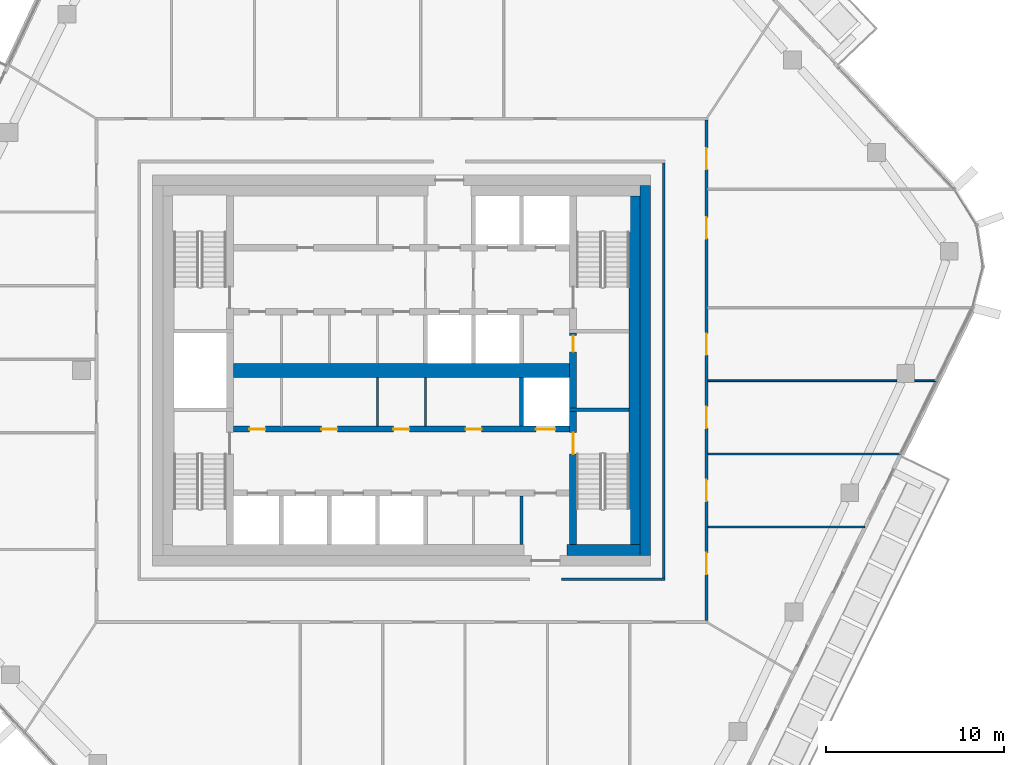
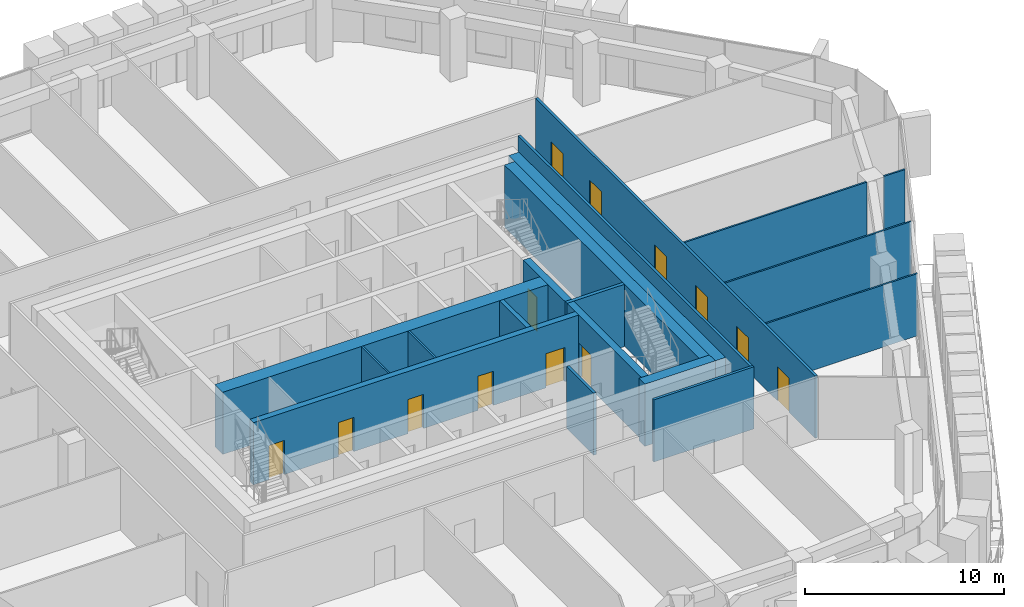
# One storey, part 14 of 23: 19 walls, 13 doors, 13 openings.
"""IFC4 building model written with IfcOpenShell, lengths in metres."""

from ifc_helpers import new_model, si_unit, direction, frame, frame_2d, origin, place, context, subcontext, project, spatial, rectangle, extrude, material, layer, layer_set, type_object, element, fill, save


model = new_model("IFC4")

# Units and contexts
model_context = context("Model", 3, precision=1e-05, world=origin(), true_north=direction((0.0, 1.0)))
body_context = subcontext(model_context, "Body", "Model", "MODEL_VIEW")
ifc_project = project(units=[si_unit("LENGTHUNIT", "METRE"), si_unit("AREAUNIT", "SQUARE_METRE"), si_unit("VOLUMEUNIT", "CUBIC_METRE"), si_unit("PLANEANGLEUNIT", "RADIAN"), si_unit("MASSUNIT", "GRAM", prefix="KILO")], contexts=[model_context])

# Site, building, storey
site_placement = place(None, origin())
site = spatial("IfcSite", under=ifc_project, at=site_placement, CompositionType="ELEMENT")
building_placement = place(site_placement, origin())
building = spatial("IfcBuilding", under=site, at=building_placement, Name="Dongbaek Canopy Tower", CompositionType="ELEMENT")
storey_placement = place(building_placement, frame((0.0, 0.0, 336.199951171875)))
storey = spatial("IfcBuildingStorey", under=building, at=storey_placement, Name="L72", CompositionType="ELEMENT", Elevation=336.199951171875)

# Wall
ifc_material_1 = material(Name="Concrete C60/75", Category="concrete")
ifc_layer_1 = layer(ifc_material_1, 0.800048828125)
ifc_layer_set_1 = layer_set([ifc_layer_1], Name="Core central wall 800 Concrete C60/75")
wall_type_1 = type_object("IfcWallType", Name="Core central wall 800 Concrete C60/75", PredefinedType="SHEAR", material=ifc_layer_set_1)
wall_1_placement = place(storey_placement, frame((-9.449951171875, 0.0, 0.0), z_axis=(0.0, 0.0, 1.0), x_axis=(1.0, 0.0, 0.0)))
element("IfcWall", 1, at=wall_1_placement, inside=storey, type_object=wall_type_1, Name="Core wall", PredefinedType="SHEAR", context=body_context, shape_type="SweptSolid", body=[
    extrude(rectangle(XDim=18.89990234375, YDim=0.800048828125, at=frame_2d((9.449951171875, 0.0))), origin(), (0.0, 0.0, 1.0), 3.820068359375),
])

# Wall, openings, doors
ifc_material_2 = material(Name="Concrete C60/75", Category="concrete")
ifc_layer_2 = layer(ifc_material_2, 0.35009765625)
ifc_layer_set_2 = layer_set([ifc_layer_2], Name="Core lobby wall 350 Concrete C60/75")
wall_type_2 = type_object("IfcWallType", Name="Core lobby wall 350 Concrete C60/75", PredefinedType="SHEAR", material=ifc_layer_set_2)
wall_2_placement = place(storey_placement, frame((-9.449951171875, -3.300048828125, 0.0), z_axis=(0.0, 0.0, 1.0), x_axis=(1.0, 0.0, 0.0)))
wall_2 = element("IfcWall", 2, at=wall_2_placement, inside=storey, type_object=wall_type_2, Name="Core wall", PredefinedType="SHEAR", context=body_context, shape_type="SweptSolid", body=[
    extrude(rectangle(XDim=18.89990234375, YDim=0.35009765625, at=frame_2d((9.449951171875, 0.0))), origin(), (0.0, 0.0, 1.0), 3.820068359375),
])
opening_1_placement = place(wall_2_placement, frame((17.0, 0.0, 0.0)))
opening_1 = element("IfcOpeningElement", 3, at=opening_1_placement, cuts=wall_2, Name="Opening L72-D033", PredefinedType="OPENING", context=body_context, shape_type="SweptSolid", body=[
    extrude(rectangle(XDim=1.10009765625, YDim=2.10009765625, at=frame_2d((0.550048828125, 1.050048828125))), frame((0.0, 0.18505859375, 0.0), z_axis=(0.0, -1.0, 0.0), x_axis=(1.0, 0.0, 0.0)), (0.0, 0.0, 1.0), 0.3701171875),
])
opening_2_placement = place(wall_2_placement, frame((0.89990234375, 0.0, 0.0)))
opening_2 = element("IfcOpeningElement", 4, at=opening_2_placement, cuts=wall_2, Name="Opening L72-D046", PredefinedType="OPENING", context=body_context, shape_type="SweptSolid", body=[
    extrude(rectangle(XDim=0.89990234375, YDim=2.10009765625, at=frame_2d((0.449951171875, 1.050048828125))), frame((0.0, 0.18505859375, 0.0), z_axis=(0.0, -1.0, 0.0), x_axis=(1.0, 0.0, 0.0)), (0.0, 0.0, 1.0), 0.3701171875),
])
opening_3_placement = place(wall_2_placement, frame((4.949951171875, 0.0, 0.0)))
opening_3 = element("IfcOpeningElement", 5, at=opening_3_placement, cuts=wall_2, Name="Opening L72-D047", PredefinedType="OPENING", context=body_context, shape_type="SweptSolid", body=[
    extrude(rectangle(XDim=0.89990234375, YDim=2.10009765625, at=frame_2d((0.449951171875, 1.050048828125))), frame((0.0, 0.18505859375, 0.0), z_axis=(0.0, -1.0, 0.0), x_axis=(1.0, 0.0, 0.0)), (0.0, 0.0, 1.0), 0.3701171875),
])
opening_4_placement = place(wall_2_placement, frame((9.0, 0.0, 0.0)))
opening_4 = element("IfcOpeningElement", 6, at=opening_4_placement, cuts=wall_2, Name="Opening L72-D048", PredefinedType="OPENING", context=body_context, shape_type="SweptSolid", body=[
    extrude(rectangle(XDim=0.89990234375, YDim=2.10009765625, at=frame_2d((0.449951171875, 1.050048828125))), frame((0.0, 0.18505859375, 0.0), z_axis=(0.0, -1.0, 0.0), x_axis=(1.0, 0.0, 0.0)), (0.0, 0.0, 1.0), 0.3701171875),
])
opening_5_placement = place(wall_2_placement, frame((13.050048828125, 0.0, 0.0)))
opening_5 = element("IfcOpeningElement", 7, at=opening_5_placement, cuts=wall_2, Name="Opening L72-D049", PredefinedType="OPENING", context=body_context, shape_type="SweptSolid", body=[
    extrude(rectangle(XDim=0.89990234375, YDim=2.10009765625, at=frame_2d((0.449951171875, 1.050048828125))), frame((0.0, 0.18505859375, 0.0), z_axis=(0.0, -1.0, 0.0), x_axis=(1.0, 0.0, 0.0)), (0.0, 0.0, 1.0), 0.3701171875),
])
ifc_material_3 = material(Name="Steel", Category="steel")
door_type_1 = type_object("IfcDoorType", Name="Core room door 900 x 2100", OperationType="SINGLE_SWING_LEFT", PredefinedType="DOOR", material=ifc_material_3)
door_1_placement = place(opening_2_placement, origin())
door_1 = element("IfcDoor", 8, at=door_1_placement, inside=storey, type_object=door_type_1, Name="Door L72-D046", OperationType="SINGLE_SWING_RIGHT", OverallHeight=2.10009765625, OverallWidth=0.89990234375, PredefinedType="DOOR", context=body_context, shape_type="SweptSolid", body=[
    extrude(rectangle(XDim=0.89990234375, YDim=2.10009765625, at=frame_2d((0.449951171875, 1.050048828125))), frame((0.0, 0.02490234375, 0.0), z_axis=(0.0, -1.0, 0.0), x_axis=(1.0, 0.0, 0.0)), (0.0, 0.0, 1.0), 0.050048828125),
])
fill(opening_2, door_1)
door_2_placement = place(opening_3_placement, origin())
door_2 = element("IfcDoor", 9, at=door_2_placement, inside=storey, type_object=door_type_1, Name="Door L72-D047", OperationType="SINGLE_SWING_LEFT", OverallHeight=2.10009765625, OverallWidth=0.89990234375, PredefinedType="DOOR", context=body_context, shape_type="SweptSolid", body=[
    extrude(rectangle(XDim=0.89990234375, YDim=2.10009765625, at=frame_2d((0.449951171875, 1.050048828125))), frame((0.0, 0.02490234375, 0.0), z_axis=(0.0, -1.0, 0.0), x_axis=(1.0, 0.0, 0.0)), (0.0, 0.0, 1.0), 0.050048828125),
])
fill(opening_3, door_2)
door_3_placement = place(opening_4_placement, origin())
door_3 = element("IfcDoor", 10, at=door_3_placement, inside=storey, type_object=door_type_1, Name="Door L72-D048", OperationType="SINGLE_SWING_RIGHT", OverallHeight=2.10009765625, OverallWidth=0.89990234375, PredefinedType="DOOR", context=body_context, shape_type="SweptSolid", body=[
    extrude(rectangle(XDim=0.89990234375, YDim=2.10009765625, at=frame_2d((0.449951171875, 1.050048828125))), frame((0.0, 0.02490234375, 0.0), z_axis=(0.0, -1.0, 0.0), x_axis=(1.0, 0.0, 0.0)), (0.0, 0.0, 1.0), 0.050048828125),
])
fill(opening_4, door_3)
door_4_placement = place(opening_5_placement, origin())
door_4 = element("IfcDoor", 11, at=door_4_placement, inside=storey, type_object=door_type_1, Name="Door L72-D049", OperationType="SINGLE_SWING_LEFT", OverallHeight=2.10009765625, OverallWidth=0.89990234375, PredefinedType="DOOR", context=body_context, shape_type="SweptSolid", body=[
    extrude(rectangle(XDim=0.89990234375, YDim=2.10009765625, at=frame_2d((0.449951171875, 1.050048828125))), frame((0.0, 0.02490234375, 0.0), z_axis=(0.0, -1.0, 0.0), x_axis=(1.0, 0.0, 0.0)), (0.0, 0.0, 1.0), 0.050048828125),
])
fill(opening_5, door_4)
ifc_material_4 = material(Name="Stainless steel", Category="steel")
door_type_2 = type_object("IfcDoorType", Name="Lift landing door 1100 x 2100", OperationType="DOUBLE_DOOR_SLIDING", PredefinedType="DOOR", material=ifc_material_4)
door_5_placement = place(opening_1_placement, origin())
door_5 = element("IfcDoor", 12, at=door_5_placement, inside=storey, type_object=door_type_2, Name="Landing door SV2", OperationType="DOUBLE_DOOR_SLIDING", OverallHeight=2.10009765625, OverallWidth=1.10009765625, PredefinedType="DOOR", context=body_context, shape_type="SweptSolid", body=[
    extrude(rectangle(XDim=1.10009765625, YDim=2.10009765625, at=frame_2d((0.550048828125, 1.050048828125))), frame((0.0, 0.02490234375, 0.0), z_axis=(0.0, -1.0, 0.0), x_axis=(1.0, 0.0, 0.0)), (0.0, 0.0, 1.0), 0.050048828125),
])
fill(opening_1, door_5)

# Walls
ifc_material_5 = material(Name="Concrete C80/95", Category="concrete")
ifc_layer_3 = layer(ifc_material_5, 0.60009765625)
ifc_layer_set_3 = layer_set([ifc_layer_3], Name="Core outer wall 600 Concrete C80/95")
wall_type_3 = type_object("IfcWallType", Name="Core outer wall 600 Concrete C80/95", PredefinedType="SHEAR", material=ifc_layer_set_3)
wall_3_placement = place(storey_placement, frame((13.699951171875, 10.39990234375, 0.0), z_axis=(0.0, 0.0, 1.0), x_axis=(0.0, -1.0, 0.0)))
element("IfcWall", 13, at=wall_3_placement, inside=storey, type_object=wall_type_3, Name="Core wall", PredefinedType="SHEAR", context=body_context, shape_type="SweptSolid", body=[
    extrude(rectangle(XDim=20.7998046875, YDim=0.60009765625, at=frame_2d((10.39990234375, 0.0))), origin(), (0.0, 0.0, 1.0), 3.820068359375),
])
ifc_material_6 = material(Name="Concrete C60/75", Category="concrete")
ifc_layer_4 = layer(ifc_material_6, 0.60009765625)
ifc_layer_set_4 = layer_set([ifc_layer_4], Name="Core wall lining 600 Concrete C60/75")
wall_type_4 = type_object("IfcWallType", Name="Core wall lining 600 Concrete C60/75", PredefinedType="SHEAR", material=ifc_layer_set_4)
wall_4_placement = place(storey_placement, frame((13.39990234375, -10.10009765625, 0.0), z_axis=(0.0, 0.0, 1.0), x_axis=(-1.0, 0.0, 0.0)))
element("IfcWall", 14, at=wall_4_placement, inside=storey, type_object=wall_type_4, Name="Core wall lining", PredefinedType="SHEAR", context=body_context, shape_type="SweptSolid", body=[
    extrude(rectangle(XDim=4.099853515625, YDim=0.60009765625, at=frame_2d((2.0498046875, 0.0))), origin(), (0.0, 0.0, 1.0), 3.820068359375),
])
wall_5_placement = place(storey_placement, frame((13.10009765625, 9.800048828125, 0.0), z_axis=(0.0, 0.0, 1.0), x_axis=(0.0, -1.0, 0.0)))
element("IfcWall", 15, at=wall_5_placement, inside=storey, type_object=wall_type_4, Name="Core wall lining", PredefinedType="SHEAR", context=body_context, shape_type="SweptSolid", body=[
    extrude(rectangle(XDim=19.60009765625, YDim=0.60009765625, at=frame_2d((9.800048828125, 0.0))), origin(), (0.0, 0.0, 1.0), 3.820068359375),
])
ifc_material_7 = material(Name="Gypsum board partition, steel stud, 2 x 15 mm fire board", Category="steel")
ifc_layer_5 = layer(ifc_material_7, 0.14990234375)
ifc_layer_set_5 = layer_set([ifc_layer_5], Name="Fire-rated partition 150 gypsum board")
wall_type_5 = type_object("IfcWallType", Name="Fire-rated partition 150 gypsum board", PredefinedType="PARTITIONING", material=ifc_layer_set_5)
wall_6_placement = place(storey_placement, frame((9.0, -11.75, 0.0), z_axis=(0.0, 0.0, 1.0), x_axis=(1.0, 0.0, 0.0)))
element("IfcWall", 16, at=wall_6_placement, inside=storey, type_object=wall_type_5, Name="Corridor partition", PredefinedType="PARTITIONING", context=body_context, shape_type="SweptSolid", body=[
    extrude(rectangle(XDim=5.824951171875, YDim=0.14990234375, at=frame_2d((2.91259765625, 0.0))), origin(), (0.0, 0.0, 1.0), 3.820068359375),
])

# Wall, openings, doors
wall_7_placement = place(storey_placement, frame((17.14990234375, 14.074951171875, 0.0), z_axis=(0.0, 0.0, 1.0), x_axis=(0.0, -1.0, 0.0)))
wall_7 = element("IfcWall", 17, at=wall_7_placement, inside=storey, type_object=wall_type_5, Name="Corridor partition", PredefinedType="PARTITIONING", context=body_context, shape_type="SweptSolid", body=[
    extrude(rectangle(XDim=28.14990234375, YDim=0.14990234375, at=frame_2d((14.074951171875, 0.0))), origin(), (0.0, 0.0, 1.0), 3.820068359375),
])
opening_6_placement = place(wall_7_placement, frame((24.33935546875, 0.0, 0.0)))
opening_6 = element("IfcOpeningElement", 18, at=opening_6_placement, cuts=wall_7, Name="Opening L72-D010", PredefinedType="OPENING", context=body_context, shape_type="SweptSolid", body=[
    extrude(rectangle(XDim=1.199951171875, YDim=2.10009765625, at=frame_2d((0.60009765625, 1.050048828125))), frame((0.0, 0.0849609375, 0.0), z_axis=(0.0, -1.0, 0.0), x_axis=(1.0, 0.0, 0.0)), (0.0, 0.0, 1.0), 0.169921875),
])
opening_7_placement = place(wall_7_placement, frame((20.227294921875, 0.0, 0.0)))
opening_7 = element("IfcOpeningElement", 19, at=opening_7_placement, cuts=wall_7, Name="Opening L72-D011", PredefinedType="OPENING", context=body_context, shape_type="SweptSolid", body=[
    extrude(rectangle(XDim=1.199951171875, YDim=2.10009765625, at=frame_2d((0.60009765625, 1.050048828125))), frame((0.0, 0.0849609375, 0.0), z_axis=(0.0, -1.0, 0.0), x_axis=(1.0, 0.0, 0.0)), (0.0, 0.0, 1.0), 0.169921875),
])
opening_8_placement = place(wall_7_placement, frame((16.114501953125, 0.0, 0.0)))
opening_8 = element("IfcOpeningElement", 20, at=opening_8_placement, cuts=wall_7, Name="Opening L72-D012", PredefinedType="OPENING", context=body_context, shape_type="SweptSolid", body=[
    extrude(rectangle(XDim=1.199951171875, YDim=2.10009765625, at=frame_2d((0.60009765625, 1.050048828125))), frame((0.0, 0.0849609375, 0.0), z_axis=(0.0, -1.0, 0.0), x_axis=(1.0, 0.0, 0.0)), (0.0, 0.0, 1.0), 0.169921875),
])
opening_9_placement = place(wall_7_placement, frame((12.005615234375, 0.0, 0.0)))
opening_9 = element("IfcOpeningElement", 21, at=opening_9_placement, cuts=wall_7, Name="Opening L72-D013", PredefinedType="OPENING", context=body_context, shape_type="SweptSolid", body=[
    extrude(rectangle(XDim=1.199951171875, YDim=2.10009765625, at=frame_2d((0.60009765625, 1.050048828125))), frame((0.0, 0.0849609375, 0.0), z_axis=(0.0, -1.0, 0.0), x_axis=(1.0, 0.0, 0.0)), (0.0, 0.0, 1.0), 0.169921875),
])
opening_10_placement = place(wall_7_placement, frame((5.463623046875, 0.0, 0.0)))
opening_10 = element("IfcOpeningElement", 22, at=opening_10_placement, cuts=wall_7, Name="Opening L72-D014", PredefinedType="OPENING", context=body_context, shape_type="SweptSolid", body=[
    extrude(rectangle(XDim=1.199951171875, YDim=2.10009765625, at=frame_2d((0.60009765625, 1.050048828125))), frame((0.0, 0.0849609375, 0.0), z_axis=(0.0, -1.0, 0.0), x_axis=(1.0, 0.0, 0.0)), (0.0, 0.0, 1.0), 0.169921875),
])
opening_11_placement = place(wall_7_placement, frame((1.56884765625, 0.0, 0.0)))
opening_11 = element("IfcOpeningElement", 23, at=opening_11_placement, cuts=wall_7, Name="Opening L72-D015", PredefinedType="OPENING", context=body_context, shape_type="SweptSolid", body=[
    extrude(rectangle(XDim=1.199951171875, YDim=2.10009765625, at=frame_2d((0.60009765625, 1.050048828125))), frame((0.0, 0.0849609375, 0.0), z_axis=(0.0, -1.0, 0.0), x_axis=(1.0, 0.0, 0.0)), (0.0, 0.0, 1.0), 0.169921875),
])
ifc_material_8 = material(Name="Timber veneered door leaf", Category="wood")
door_type_3 = type_object("IfcDoorType", Name="Room door 1200 x 2100", OperationType="SINGLE_SWING_LEFT", PredefinedType="DOOR", material=ifc_material_8)
door_6_placement = place(opening_6_placement, origin())
door_6 = element("IfcDoor", 24, at=door_6_placement, inside=storey, type_object=door_type_3, Name="Door L72-D010", OperationType="SINGLE_SWING_LEFT", OverallHeight=2.10009765625, OverallWidth=1.199951171875, PredefinedType="DOOR", context=body_context, shape_type="SweptSolid", body=[
    extrude(rectangle(XDim=1.199951171875, YDim=2.10009765625, at=frame_2d((0.60009765625, 1.050048828125))), frame((0.0, 0.02490234375, 0.0), z_axis=(0.0, -1.0, 0.0), x_axis=(1.0, 0.0, 0.0)), (0.0, 0.0, 1.0), 0.050048828125),
])
fill(opening_6, door_6)
door_7_placement = place(opening_7_placement, origin())
door_7 = element("IfcDoor", 25, at=door_7_placement, inside=storey, type_object=door_type_3, Name="Door L72-D011", OperationType="SINGLE_SWING_RIGHT", OverallHeight=2.10009765625, OverallWidth=1.199951171875, PredefinedType="DOOR", context=body_context, shape_type="SweptSolid", body=[
    extrude(rectangle(XDim=1.199951171875, YDim=2.10009765625, at=frame_2d((0.60009765625, 1.050048828125))), frame((0.0, 0.02490234375, 0.0), z_axis=(0.0, -1.0, 0.0), x_axis=(1.0, 0.0, 0.0)), (0.0, 0.0, 1.0), 0.050048828125),
])
fill(opening_7, door_7)
door_8_placement = place(opening_8_placement, origin())
door_8 = element("IfcDoor", 26, at=door_8_placement, inside=storey, type_object=door_type_3, Name="Door L72-D012", OperationType="SINGLE_SWING_LEFT", OverallHeight=2.10009765625, OverallWidth=1.199951171875, PredefinedType="DOOR", context=body_context, shape_type="SweptSolid", body=[
    extrude(rectangle(XDim=1.199951171875, YDim=2.10009765625, at=frame_2d((0.60009765625, 1.050048828125))), frame((0.0, 0.02490234375, 0.0), z_axis=(0.0, -1.0, 0.0), x_axis=(1.0, 0.0, 0.0)), (0.0, 0.0, 1.0), 0.050048828125),
])
fill(opening_8, door_8)
door_9_placement = place(opening_9_placement, origin())
door_9 = element("IfcDoor", 27, at=door_9_placement, inside=storey, type_object=door_type_3, Name="Door L72-D013", OperationType="SINGLE_SWING_RIGHT", OverallHeight=2.10009765625, OverallWidth=1.199951171875, PredefinedType="DOOR", context=body_context, shape_type="SweptSolid", body=[
    extrude(rectangle(XDim=1.199951171875, YDim=2.10009765625, at=frame_2d((0.60009765625, 1.050048828125))), frame((0.0, 0.02490234375, 0.0), z_axis=(0.0, -1.0, 0.0), x_axis=(1.0, 0.0, 0.0)), (0.0, 0.0, 1.0), 0.050048828125),
])
fill(opening_9, door_9)
door_10_placement = place(opening_10_placement, origin())
door_10 = element("IfcDoor", 28, at=door_10_placement, inside=storey, type_object=door_type_3, Name="Door L72-D014", OperationType="SINGLE_SWING_LEFT", OverallHeight=2.10009765625, OverallWidth=1.199951171875, PredefinedType="DOOR", context=body_context, shape_type="SweptSolid", body=[
    extrude(rectangle(XDim=1.199951171875, YDim=2.10009765625, at=frame_2d((0.60009765625, 1.050048828125))), frame((0.0, 0.02490234375, 0.0), z_axis=(0.0, -1.0, 0.0), x_axis=(1.0, 0.0, 0.0)), (0.0, 0.0, 1.0), 0.050048828125),
])
fill(opening_10, door_10)
door_11_placement = place(opening_11_placement, origin())
door_11 = element("IfcDoor", 29, at=door_11_placement, inside=storey, type_object=door_type_3, Name="Door L72-D015", OperationType="SINGLE_SWING_RIGHT", OverallHeight=2.10009765625, OverallWidth=1.199951171875, PredefinedType="DOOR", context=body_context, shape_type="SweptSolid", body=[
    extrude(rectangle(XDim=1.199951171875, YDim=2.10009765625, at=frame_2d((0.60009765625, 1.050048828125))), frame((0.0, 0.02490234375, 0.0), z_axis=(0.0, -1.0, 0.0), x_axis=(1.0, 0.0, 0.0)), (0.0, 0.0, 1.0), 0.050048828125),
])
fill(opening_11, door_11)

# Walls
wall_8_placement = place(storey_placement, frame((14.75, -11.675048828125, 0.0), z_axis=(0.0, 0.0, 1.0), x_axis=(0.0, 1.0, 0.0)))
element("IfcWall", 30, at=wall_8_placement, inside=storey, type_object=wall_type_5, Name="Corridor partition", PredefinedType="PARTITIONING", context=body_context, shape_type="SweptSolid", body=[
    extrude(rectangle(XDim=23.35009765625, YDim=0.14990234375, at=frame_2d((11.675048828125, 0.0))), origin(), (0.0, 0.0, 1.0), 3.820068359375),
])
wall_9_placement = place(storey_placement, frame((6.75, -9.800048828125, 0.0), z_axis=(0.0, 0.0, 1.0), x_axis=(0.0, 1.0, 0.0)))
element("IfcWall", 31, at=wall_9_placement, inside=storey, type_object=wall_type_5, Name="Fire lobby partition", PredefinedType="PARTITIONING", context=body_context, shape_type="SweptSolid", body=[
    extrude(rectangle(XDim=2.72509765625, YDim=0.14990234375, at=frame_2d((1.362548828125, 0.0))), origin(), (0.0, 0.0, 1.0), 3.820068359375),
])
ifc_material_9 = material(Name="Concrete C40/50", Category="concrete")
ifc_layer_6 = layer(ifc_material_9, 0.25)
ifc_layer_set_6 = layer_set([ifc_layer_6], Name="Lift shaft wall 250 Concrete C40/50")
wall_type_6 = type_object("IfcWallType", Name="Lift shaft wall 250 Concrete C40/50", PredefinedType="SOLIDWALL", material=ifc_layer_set_6)
wall_10_placement = place(storey_placement, frame((6.75, -3.125, 0.0), z_axis=(0.0, 0.0, 1.0), x_axis=(0.0, 1.0, 0.0)))
element("IfcWall", 32, at=wall_10_placement, inside=storey, type_object=wall_type_6, Name="Lift shaft wall", PredefinedType="SOLIDWALL", context=body_context, shape_type="SweptSolid", body=[
    extrude(rectangle(XDim=2.72509765625, YDim=0.25, at=frame_2d((1.362548828125, 0.0))), origin(), (0.0, 0.0, 1.0), 3.820068359375),
])
ifc_material_10 = material(Name="Gypsum board partition, steel stud, 2 x 12.5 mm board", Category="steel")
ifc_layer_7 = layer(ifc_material_10, 0.10009765625)
ifc_layer_set_7 = layer_set([ifc_layer_7], Name="Partition 100 gypsum board")
wall_type_7 = type_object("IfcWallType", Name="Partition 100 gypsum board", PredefinedType="PARTITIONING", material=ifc_layer_set_7)
wall_11_placement = place(storey_placement, frame((17.22509765625, -8.80810546875, 0.0), z_axis=(0.0, 0.0, 1.0), x_axis=(1.0, 0.0, 0.0)))
element("IfcWall", 33, at=wall_11_placement, inside=storey, type_object=wall_type_7, Name="Partition", PredefinedType="PARTITIONING", context=body_context, shape_type="SweptSolid", body=[
    extrude(rectangle(XDim=8.82421875, YDim=0.10009765625, at=frame_2d((4.412109375, 0.0))), origin(), (0.0, 0.0, 1.0), 3.820068359375),
])
wall_12_placement = place(storey_placement, frame((17.22509765625, -4.696044921875, 0.0), z_axis=(0.0, 0.0, 1.0), x_axis=(1.0, 0.0, 0.0)))
element("IfcWall", 34, at=wall_12_placement, inside=storey, type_object=wall_type_7, Name="Partition", PredefinedType="PARTITIONING", context=body_context, shape_type="SweptSolid", body=[
    extrude(rectangle(XDim=10.835205078125, YDim=0.10009765625, at=frame_2d((5.41748046875, 0.0))), origin(), (0.0, 0.0, 1.0), 3.820068359375),
])
wall_13_placement = place(storey_placement, frame((17.22509765625, -0.5830078125, 0.0), z_axis=(0.0, 0.0, 1.0), x_axis=(1.0, 0.0, 0.0)))
element("IfcWall", 35, at=wall_13_placement, inside=storey, type_object=wall_type_7, Name="Partition", PredefinedType="PARTITIONING", context=body_context, shape_type="SweptSolid", body=[
    extrude(rectangle(XDim=10.6259765625, YDim=0.10009765625, at=frame_2d((5.31298828125, 0.0))), origin(), (0.0, 0.0, 1.0), 3.820068359375),
])
wall_14_placement = place(storey_placement, frame((28.85107421875, -0.5830078125, 0.0), z_axis=(0.0, 0.0, 1.0), x_axis=(1.0, 0.0, 0.0)))
element("IfcWall", 36, at=wall_14_placement, inside=storey, type_object=wall_type_7, Name="Partition", PredefinedType="PARTITIONING", context=body_context, shape_type="SweptSolid", body=[
    extrude(rectangle(XDim=1.22119140625, YDim=0.10009765625, at=frame_2d((0.610595703125, 0.0))), origin(), (0.0, 0.0, 1.0), 3.820068359375),
])
for number, where, z_axis, x_axis, name in (
    (37, (1.35009765625, -3.125, 0.0), (0.0, 0.0, 1.0), (0.0, 1.0, 0.0), "Core partition"),
    (38, (-1.35009765625, -3.125, 0.0), (0.0, 0.0, 1.0), (0.0, 1.0, 0.0), "Core partition"),
):
    element("IfcWall", number, at=place(storey_placement, frame(where, z_axis=z_axis, x_axis=x_axis)), inside=storey, type_object=wall_type_7, Name=name, PredefinedType="PARTITIONING", context=body_context, shape_type="SweptSolid", body=[
        extrude(rectangle(XDim=2.72509765625, YDim=0.10009765625, at=frame_2d((1.362548828125, 0.0))), origin(), (0.0, 0.0, 1.0), 3.820068359375),
    ])
ifc_material_11 = material(Name="Concrete C60/75", Category="concrete")
ifc_layer_8 = layer(ifc_material_11, 0.199951171875)
ifc_layer_set_8 = layer_set([ifc_layer_8], Name="Riser wall 200 Concrete C60/75")
wall_type_8 = type_object("IfcWallType", Name="Riser wall 200 Concrete C60/75", PredefinedType="SHEAR", material=ifc_layer_set_8)
wall_15_placement = place(storey_placement, frame((9.449951171875, -2.199951171875, 0.0), z_axis=(0.0, 0.0, 1.0), x_axis=(1.0, 0.0, 0.0)))
element("IfcWall", 39, at=wall_15_placement, inside=storey, type_object=wall_type_8, Name="Riser wall", PredefinedType="SHEAR", context=body_context, shape_type="SweptSolid", body=[
    extrude(rectangle(XDim=3.35009765625, YDim=0.199951171875, at=frame_2d((1.675048828125, 0.0))), origin(), (0.0, 0.0, 1.0), 3.820068359375),
])

# Wall, opening, door
ifc_material_12 = material(Name="Concrete C60/75", Category="concrete")
ifc_layer_9 = layer(ifc_material_12, 0.39990234375)
ifc_layer_set_9 = layer_set([ifc_layer_9], Name="Stair wall 400 Concrete C60/75")
wall_type_9 = type_object("IfcWallType", Name="Stair wall 400 Concrete C60/75", PredefinedType="SHEAR", material=ifc_layer_set_9)
wall_16_placement = place(storey_placement, frame((9.64990234375, -2.300048828125, 0.0), z_axis=(0.0, 0.0, 1.0), x_axis=(0.0, -1.0, 0.0)))
wall_16 = element("IfcWall", 40, at=wall_16_placement, inside=storey, type_object=wall_type_9, Name="Stair wall", PredefinedType="SHEAR", context=body_context, shape_type="SweptSolid", body=[
    extrude(rectangle(XDim=7.5, YDim=0.39990234375, at=frame_2d((3.75, 0.0))), origin(), (0.0, 0.0, 1.0), 3.820068359375),
])
opening_12_placement = place(wall_16_placement, frame((1.199951171875, 0.0, 0.0)))
opening_12 = element("IfcOpeningElement", 41, at=opening_12_placement, cuts=wall_16, Name="Opening L72-D054", PredefinedType="OPENING", context=body_context, shape_type="SweptSolid", body=[
    extrude(rectangle(XDim=1.199951171875, YDim=2.10009765625, at=frame_2d((0.60009765625, 1.050048828125))), frame((0.0, 0.2099609375, 0.0), z_axis=(0.0, -1.0, 0.0), x_axis=(1.0, 0.0, 0.0)), (0.0, 0.0, 1.0), 0.419921875),
])
ifc_material_13 = material(Name="Steel", Category="steel")
door_type_4 = type_object("IfcDoorType", Name="Stair door 1200 x 2100", OperationType="SINGLE_SWING_LEFT", PredefinedType="DOOR", material=ifc_material_13)
door_12_placement = place(opening_12_placement, origin())
door_12 = element("IfcDoor", 42, at=door_12_placement, inside=storey, type_object=door_type_4, Name="Stair B door", OperationType="SINGLE_SWING_RIGHT", OverallHeight=2.10009765625, OverallWidth=1.199951171875, PredefinedType="DOOR", context=body_context, shape_type="SweptSolid", body=[
    extrude(rectangle(XDim=1.199951171875, YDim=2.10009765625, at=frame_2d((0.60009765625, 1.050048828125))), frame((0.0, 0.02490234375, 0.0), z_axis=(0.0, -1.0, 0.0), x_axis=(1.0, 0.0, 0.0)), (0.0, 0.0, 1.0), 0.050048828125),
])
fill(opening_12, door_12)

wall_17_placement = place(storey_placement, frame((9.64990234375, 2.10009765625, 0.0), z_axis=(0.0, 0.0, 1.0), x_axis=(0.0, -1.0, 0.0)))
wall_17 = element("IfcWall", 43, at=wall_17_placement, inside=storey, type_object=wall_type_9, Name="Stair wall", PredefinedType="SHEAR", context=body_context, shape_type="SweptSolid", body=[
    extrude(rectangle(XDim=4.2001953125, YDim=0.39990234375, at=frame_2d((2.10009765625, 0.0))), origin(), (0.0, 0.0, 1.0), 3.820068359375),
])
opening_13_placement = place(wall_17_placement, frame((0.14990234375, 0.0, 0.0)))
opening_13 = element("IfcOpeningElement", 44, at=opening_13_placement, cuts=wall_17, Name="Opening L72-D025", PredefinedType="OPENING", context=body_context, shape_type="SweptSolid", body=[
    extrude(rectangle(XDim=0.89990234375, YDim=2.10009765625, at=frame_2d((0.449951171875, 1.050048828125))), frame((0.0, 0.2099609375, 0.0), z_axis=(0.0, -1.0, 0.0), x_axis=(1.0, 0.0, 0.0)), (0.0, 0.0, 1.0), 0.419921875),
])
door_13_placement = place(opening_13_placement, origin())
door_13 = element("IfcDoor", 45, at=door_13_placement, inside=storey, type_object=door_type_1, Name="Door L72-D025", OperationType="SINGLE_SWING_RIGHT", OverallHeight=2.10009765625, OverallWidth=0.89990234375, PredefinedType="DOOR", context=body_context, shape_type="SweptSolid", body=[
    extrude(rectangle(XDim=0.89990234375, YDim=2.10009765625, at=frame_2d((0.449951171875, 1.050048828125))), frame((0.0, 0.02490234375, 0.0), z_axis=(0.0, -1.0, 0.0), x_axis=(1.0, 0.0, 0.0)), (0.0, 0.0, 1.0), 0.050048828125),
])
fill(opening_13, door_13)

save(model, "model.ifc")
